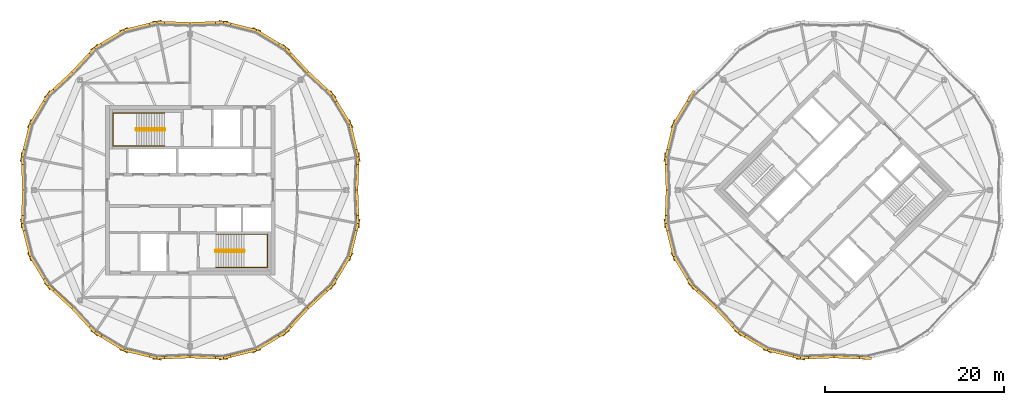
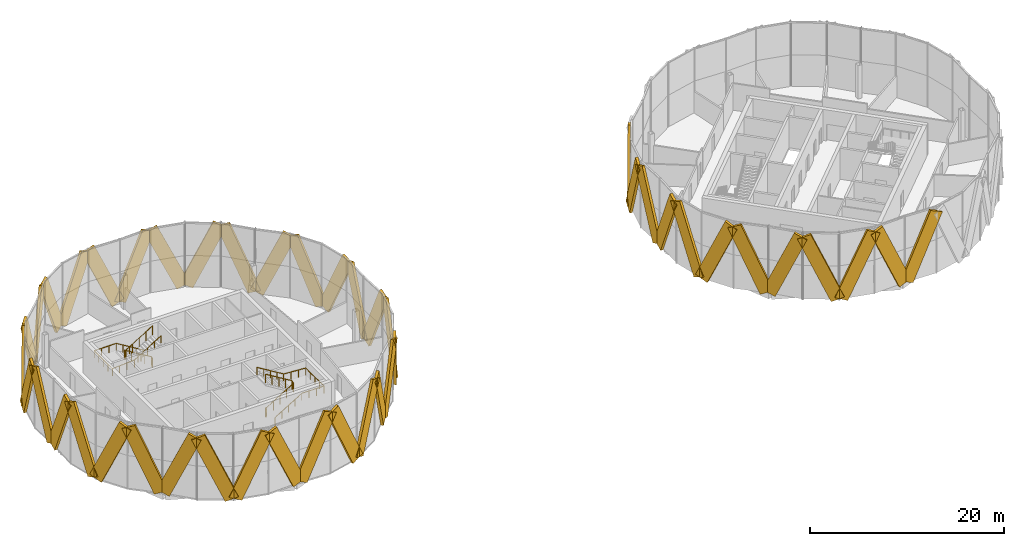
# One storey, part 21 of 22: 44 coverings, 4 railings.
"""IFC4 building model written with IfcOpenShell, lengths in metres."""

from ifc_helpers import new_model, si_unit, direction, frame, origin, origin_2d, place, context, subcontext, project, spatial, rectangle, circle, extrude, material, material_profile, profile_set, type_object, element, save


model = new_model("IFC4")

# Units and contexts
model_context = context("Model", 3, precision=1e-05, world=origin(), true_north=direction((0.0, 1.0)))
body_context = subcontext(model_context, "Body", "Model", "MODEL_VIEW")
ifc_project = project(units=[si_unit("LENGTHUNIT", "METRE"), si_unit("AREAUNIT", "SQUARE_METRE"), si_unit("VOLUMEUNIT", "CUBIC_METRE"), si_unit("PLANEANGLEUNIT", "RADIAN"), si_unit("MASSUNIT", "GRAM", prefix="KILO")], contexts=[model_context])

# Site, building, storey
site_placement = place(None, origin())
site = spatial("IfcSite", under=ifc_project, at=site_placement, CompositionType="ELEMENT")
building_placement = place(site_placement, origin())
building = spatial("IfcBuilding", under=site, at=building_placement, Name="Ogive Gate Towers", CompositionType="ELEMENT")
storey_placement = place(building_placement, frame((0.0, 0.0, 285.60009765625)))
storey = spatial("IfcBuildingStorey", under=building, at=storey_placement, Name="L67", CompositionType="ELEMENT", Elevation=285.60009765625)

# Coverings
ifc_material_1 = material(Name="Pale metal aluminium", Category="aluminium")
ifc_material_profile = material_profile(ifc_material_1, rectangle(XDim=0.300048828125, YDim=1.5, at=origin_2d()), Name="1500 x 300 pale metal aluminium")
ifc_profile_set = profile_set([ifc_material_profile], Name="Pale metal aluminium")
covering_type = type_object("IfcCoveringType", Name="Facade fin 1500 x 300", PredefinedType="CLADDING", material=ifc_profile_set)
covering_1_placement = place(storey_placement, frame((-17.364990234375, 0.1259765625, 0.053955078125), z_axis=(0.01532001797, 0.405081005449, 0.914152435906), x_axis=(-0.999285603672, 0.037792622215, 0.0)))
element("IfcCovering", 1, at=covering_1_placement, inside=storey, type_object=covering_type, Name="Facade fin", PredefinedType="CLADDING", context=body_context, shape_type="SweptSolid", body=[
    extrude(rectangle(XDim=0.300048828125, YDim=1.5, at=origin_2d()), origin(), (0.0, 0.0, 1.0), 8.414306640625),
])
for number, where, z_axis, x_axis, name in (
    (2, (-18.09619140625, 7.229736328125, 0.05810546875), (0.097974872513, -0.398939080243, 0.911728322808), (0.971142153722, 0.238501398874, 0.0), "Facade fin"),
    (3, (-18.22802734375, 7.547607421875, 0.05810546875), (-0.212810177385, 0.351371445889, 0.911729091022), (-0.855351245103, -0.518048499178, 0.0), "Facade fin"),
):
    element("IfcCovering", number, at=place(storey_placement, frame(where, z_axis=z_axis, x_axis=x_axis)), inside=storey, type_object=covering_type, Name=name, PredefinedType="CLADDING", context=body_context, shape_type="SweptSolid", body=[
        extrude(rectangle(XDim=0.300048828125, YDim=1.5, at=origin_2d()), origin(), (0.0, 0.0, 1.0), 8.427490234375),
    ])
for number, where, z_axis, x_axis, name in (
    (4, (-22.73388671875, 13.087890625, 0.053955078125), (0.297260235474, -0.275614931846, 0.914151388857), (0.679904576135, 0.733300598221, 0.0), "Facade fin"),
    (5, (-22.912109375, 13.26611328125, 0.053955078125), (-0.275614931846, 0.297260235474, 0.914151388857), (-0.733300598221, -0.679904576135, 0.0), "Facade fin"),
):
    element("IfcCovering", number, at=place(storey_placement, frame(where, z_axis=z_axis, x_axis=x_axis)), inside=storey, type_object=covering_type, Name=name, PredefinedType="CLADDING", context=body_context, shape_type="SweptSolid", body=[
        extrude(rectangle(XDim=0.300048828125, YDim=1.5, at=origin_2d()), origin(), (0.0, 0.0, 1.0), 8.414306640625),
    ])
for number, where, z_axis, x_axis, name in (
    (6, (-28.452392578125, 17.77197265625, 0.05810546875), (0.351371445889, -0.212810177385, 0.911729091022), (0.518048499178, 0.855351245103, 0.0), "Facade fin"),
    (7, (-28.770263671875, 17.90380859375, 0.05810546875), (-0.398939080243, 0.097974872513, 0.911728322808), (-0.238501398874, -0.971142153722, 0.0), "Facade fin"),
):
    element("IfcCovering", number, at=place(storey_placement, frame(where, z_axis=z_axis, x_axis=x_axis)), inside=storey, type_object=covering_type, Name=name, PredefinedType="CLADDING", context=body_context, shape_type="SweptSolid", body=[
        extrude(rectangle(XDim=0.300048828125, YDim=1.5, at=origin_2d()), origin(), (0.0, 0.0, 1.0), 8.427490234375),
    ])
for number, where, z_axis, x_axis, name in (
    (8, (-35.8740234375, 18.635009765625, 0.053955078125), (0.405081005449, 0.01532001797, 0.914152435906), (-0.037792622215, 0.999285603672, 0.0), "Facade fin"),
    (9, (-36.1259765625, 18.635009765625, 0.053955078125), (-0.405081005449, 0.01532001797, 0.914152435906), (-0.037792622215, -0.999285603672, 0.0), "Facade fin"),
):
    element("IfcCovering", number, at=place(storey_placement, frame(where, z_axis=z_axis, x_axis=x_axis)), inside=storey, type_object=covering_type, Name=name, PredefinedType="CLADDING", context=body_context, shape_type="SweptSolid", body=[
        extrude(rectangle(XDim=0.300048828125, YDim=1.5, at=origin_2d()), origin(), (0.0, 0.0, 1.0), 8.414306640625),
    ])
for number, where, z_axis, x_axis, name in (
    (10, (-43.229736328125, 17.90380859375, 0.05810546875), (0.398939080243, 0.097974872513, 0.911728322808), (-0.238501398874, 0.971142153722, 0.0), "Facade fin"),
    (11, (-43.547607421875, 17.77197265625, 0.05810546875), (-0.351371445889, -0.212810177385, 0.911729091022), (0.518048499178, -0.855351245103, 0.0), "Facade fin"),
):
    element("IfcCovering", number, at=place(storey_placement, frame(where, z_axis=z_axis, x_axis=x_axis)), inside=storey, type_object=covering_type, Name=name, PredefinedType="CLADDING", context=body_context, shape_type="SweptSolid", body=[
        extrude(rectangle(XDim=0.300048828125, YDim=1.5, at=origin_2d()), origin(), (0.0, 0.0, 1.0), 8.427490234375),
    ])
for number, where, z_axis, x_axis, name in (
    (12, (-49.087890625, 13.26611328125, 0.053955078125), (0.275614931846, 0.297260235474, 0.914151388857), (-0.733300598221, 0.679904576135, 0.0), "Facade fin"),
    (13, (-49.26611328125, 13.087890625, 0.053955078125), (-0.297260235474, -0.275614931846, 0.914151388857), (0.679904576135, -0.733300598221, 0.0), "Facade fin"),
):
    element("IfcCovering", number, at=place(storey_placement, frame(where, z_axis=z_axis, x_axis=x_axis)), inside=storey, type_object=covering_type, Name=name, PredefinedType="CLADDING", context=body_context, shape_type="SweptSolid", body=[
        extrude(rectangle(XDim=0.300048828125, YDim=1.5, at=origin_2d()), origin(), (0.0, 0.0, 1.0), 8.414306640625),
    ])
for number, where, z_axis, x_axis, name in (
    (14, (-53.77197265625, 7.547607421875, 0.05810546875), (0.212810177385, 0.351371445889, 0.911729091022), (-0.855351245103, 0.518048499178, 0.0), "Facade fin"),
    (15, (-53.90380859375, 7.229736328125, 0.05810546875), (-0.097974872513, -0.398939080243, 0.911728322808), (0.971142153722, -0.238501398874, 0.0), "Facade fin"),
):
    element("IfcCovering", number, at=place(storey_placement, frame(where, z_axis=z_axis, x_axis=x_axis)), inside=storey, type_object=covering_type, Name=name, PredefinedType="CLADDING", context=body_context, shape_type="SweptSolid", body=[
        extrude(rectangle(XDim=0.300048828125, YDim=1.5, at=origin_2d()), origin(), (0.0, 0.0, 1.0), 8.427490234375),
    ])
for number, where, z_axis, x_axis, name in (
    (16, (-54.635009765625, 0.1259765625, 0.053955078125), (-0.01532001797, 0.405081005449, 0.914152435906), (-0.999285603672, -0.037792622215, 0.0), "Facade fin"),
    (17, (-54.635009765625, -0.1259765625, 0.053955078125), (-0.01532001797, -0.405081005449, 0.914152435906), (0.999285603672, -0.037792622215, 0.0), "Facade fin"),
):
    element("IfcCovering", number, at=place(storey_placement, frame(where, z_axis=z_axis, x_axis=x_axis)), inside=storey, type_object=covering_type, Name=name, PredefinedType="CLADDING", context=body_context, shape_type="SweptSolid", body=[
        extrude(rectangle(XDim=0.300048828125, YDim=1.5, at=origin_2d()), origin(), (0.0, 0.0, 1.0), 8.414306640625),
    ])
for number, where, z_axis, x_axis, name in (
    (18, (-53.90380859375, -7.229736328125, 0.05810546875), (-0.097974872513, 0.398939080243, 0.911728322808), (-0.971142153722, -0.238501398874, 0.0), "Facade fin"),
    (19, (-53.77197265625, -7.547607421875, 0.05810546875), (0.212810177385, -0.351371445889, 0.911729091022), (0.855351245103, 0.518048499178, 0.0), "Facade fin"),
):
    element("IfcCovering", number, at=place(storey_placement, frame(where, z_axis=z_axis, x_axis=x_axis)), inside=storey, type_object=covering_type, Name=name, PredefinedType="CLADDING", context=body_context, shape_type="SweptSolid", body=[
        extrude(rectangle(XDim=0.300048828125, YDim=1.5, at=origin_2d()), origin(), (0.0, 0.0, 1.0), 8.427490234375),
    ])
for number, where, z_axis, x_axis, name in (
    (20, (-49.26611328125, -13.087890625, 0.053955078125), (-0.297260235474, 0.275614931846, 0.914151388857), (-0.679904576135, -0.733300598221, 0.0), "Facade fin"),
    (21, (-49.087890625, -13.26611328125, 0.053955078125), (0.275614931846, -0.297260235474, 0.914151388857), (0.733300598221, 0.679904576135, 0.0), "Facade fin"),
):
    element("IfcCovering", number, at=place(storey_placement, frame(where, z_axis=z_axis, x_axis=x_axis)), inside=storey, type_object=covering_type, Name=name, PredefinedType="CLADDING", context=body_context, shape_type="SweptSolid", body=[
        extrude(rectangle(XDim=0.300048828125, YDim=1.5, at=origin_2d()), origin(), (0.0, 0.0, 1.0), 8.414306640625),
    ])
for number, where, z_axis, x_axis, name in (
    (22, (-43.547607421875, -17.77197265625, 0.05810546875), (-0.351371445889, 0.212810177385, 0.911729091022), (-0.518048499178, -0.855351245103, 0.0), "Facade fin"),
    (23, (-43.229736328125, -17.90380859375, 0.05810546875), (0.398939080243, -0.097974872513, 0.911728322808), (0.238501398874, 0.971142153722, 0.0), "Facade fin"),
):
    element("IfcCovering", number, at=place(storey_placement, frame(where, z_axis=z_axis, x_axis=x_axis)), inside=storey, type_object=covering_type, Name=name, PredefinedType="CLADDING", context=body_context, shape_type="SweptSolid", body=[
        extrude(rectangle(XDim=0.300048828125, YDim=1.5, at=origin_2d()), origin(), (0.0, 0.0, 1.0), 8.427490234375),
    ])
for number, where, z_axis, x_axis, name in (
    (24, (-36.1259765625, -18.635009765625, 0.053955078125), (-0.405081005449, -0.01532001797, 0.914152435906), (0.037792622215, -0.999285603672, 0.0), "Facade fin"),
    (25, (-35.8740234375, -18.635009765625, 0.053955078125), (0.405081005449, -0.01532001797, 0.914152435906), (0.037792622215, 0.999285603672, 0.0), "Facade fin"),
):
    element("IfcCovering", number, at=place(storey_placement, frame(where, z_axis=z_axis, x_axis=x_axis)), inside=storey, type_object=covering_type, Name=name, PredefinedType="CLADDING", context=body_context, shape_type="SweptSolid", body=[
        extrude(rectangle(XDim=0.300048828125, YDim=1.5, at=origin_2d()), origin(), (0.0, 0.0, 1.0), 8.414306640625),
    ])
for number, where, z_axis, x_axis, name in (
    (26, (-28.770263671875, -17.90380859375, 0.05810546875), (-0.398939080243, -0.097974872513, 0.911728322808), (0.238501398874, -0.971142153722, 0.0), "Facade fin"),
    (27, (-28.452392578125, -17.77197265625, 0.05810546875), (0.351371445889, 0.212810177385, 0.911729091022), (-0.518048499178, 0.855351245103, 0.0), "Facade fin"),
):
    element("IfcCovering", number, at=place(storey_placement, frame(where, z_axis=z_axis, x_axis=x_axis)), inside=storey, type_object=covering_type, Name=name, PredefinedType="CLADDING", context=body_context, shape_type="SweptSolid", body=[
        extrude(rectangle(XDim=0.300048828125, YDim=1.5, at=origin_2d()), origin(), (0.0, 0.0, 1.0), 8.427490234375),
    ])
for number, where, z_axis, x_axis, name in (
    (28, (-22.912109375, -13.26611328125, 0.053955078125), (-0.275614931846, -0.297260235474, 0.914151388857), (0.733300598221, -0.679904576135, 0.0), "Facade fin"),
    (29, (-22.73388671875, -13.087890625, 0.053955078125), (0.297260235474, 0.275614931846, 0.914151388857), (-0.679904576135, 0.733300598221, 0.0), "Facade fin"),
):
    element("IfcCovering", number, at=place(storey_placement, frame(where, z_axis=z_axis, x_axis=x_axis)), inside=storey, type_object=covering_type, Name=name, PredefinedType="CLADDING", context=body_context, shape_type="SweptSolid", body=[
        extrude(rectangle(XDim=0.300048828125, YDim=1.5, at=origin_2d()), origin(), (0.0, 0.0, 1.0), 8.414306640625),
    ])
for number, where, z_axis, x_axis, name in (
    (30, (-18.22802734375, -7.547607421875, 0.05810546875), (-0.212810177385, -0.351371445889, 0.911729091022), (0.855351245103, -0.518048499178, 0.0), "Facade fin"),
    (31, (-18.09619140625, -7.229736328125, 0.05810546875), (0.097974872513, 0.398939080243, 0.911728322808), (-0.971142153722, 0.238501398874, 0.0), "Facade fin"),
):
    element("IfcCovering", number, at=place(storey_placement, frame(where, z_axis=z_axis, x_axis=x_axis)), inside=storey, type_object=covering_type, Name=name, PredefinedType="CLADDING", context=body_context, shape_type="SweptSolid", body=[
        extrude(rectangle(XDim=0.300048828125, YDim=1.5, at=origin_2d()), origin(), (0.0, 0.0, 1.0), 8.427490234375),
    ])
covering_2_placement = place(storey_placement, frame((-17.364990234375, -0.1259765625, 0.053955078125), z_axis=(0.01532001797, -0.405081005449, 0.914152435906), x_axis=(0.999285603672, 0.037792622215, 0.0)))
element("IfcCovering", 32, at=covering_2_placement, inside=storey, type_object=covering_type, Name="Facade fin", PredefinedType="CLADDING", context=body_context, shape_type="SweptSolid", body=[
    extrude(rectangle(XDim=0.300048828125, YDim=1.5, at=origin_2d()), origin(), (0.0, 0.0, 1.0), 8.414306640625),
])
for number, where, z_axis, x_axis, name in (
    (33, (18.226318359375, 7.544921875, -0.045166015625), (0.21069427992, 0.34789321855, 0.913552532094), (-0.855361364748, 0.518031790238, 0.0), "Facade fin"),
    (34, (18.096923828125, 7.232666015625, -0.045166015625), (-0.097000995392, -0.394989885604, 0.913550106542), (0.971144431626, -0.238492123394, 0.0), "Facade fin"),
):
    element("IfcCovering", number, at=place(storey_placement, frame(where, z_axis=z_axis, x_axis=x_axis)), inside=storey, type_object=covering_type, Name=name, PredefinedType="CLADDING", context=body_context, shape_type="SweptSolid", body=[
        extrude(rectangle(XDim=0.300048828125, YDim=1.5, at=origin_2d()), origin(), (0.0, 0.0, 1.0), 8.527099609375),
    ])
for number, where, z_axis, x_axis, name in (
    (35, (17.364990234375, 0.123046875, -0.049072265625), (-0.015169569339, 0.401032943671, 0.915938023153), (-0.999285354501, -0.037799210049, 0.0), "Facade fin"),
    (36, (17.364990234375, -0.123046875, -0.049072265625), (-0.015169569339, -0.401032943671, 0.915938023153), (0.999285354501, -0.037799210049, 0.0), "Facade fin"),
):
    element("IfcCovering", number, at=place(storey_placement, frame(where, z_axis=z_axis, x_axis=x_axis)), inside=storey, type_object=covering_type, Name=name, PredefinedType="CLADDING", context=body_context, shape_type="SweptSolid", body=[
        extrude(rectangle(XDim=0.300048828125, YDim=1.5, at=origin_2d()), origin(), (0.0, 0.0, 1.0), 8.513671875),
    ])
for number, where, z_axis, x_axis, name in (
    (37, (18.096923828125, -7.232666015625, -0.045166015625), (-0.097000995392, 0.394989885604, 0.913550106542), (-0.971144431626, -0.238492123394, 0.0), "Facade fin"),
    (38, (18.226318359375, -7.544921875, -0.045166015625), (0.21069427992, -0.34789321855, 0.913552532094), (0.855361364748, 0.518031790238, 0.0), "Facade fin"),
):
    element("IfcCovering", number, at=place(storey_placement, frame(where, z_axis=z_axis, x_axis=x_axis)), inside=storey, type_object=covering_type, Name=name, PredefinedType="CLADDING", context=body_context, shape_type="SweptSolid", body=[
        extrude(rectangle(XDim=0.300048828125, YDim=1.5, at=origin_2d()), origin(), (0.0, 0.0, 1.0), 8.527099609375),
    ])
for number, where, z_axis, x_axis, name in (
    (39, (22.736083984375, -13.08984375, -0.049072265625), (-0.294300591844, 0.272851031024, 0.915936393266), (-0.679878090563, -0.73332515433, 0.0), "Facade fin"),
    (40, (22.91015625, -13.263916015625, -0.049072265625), (0.272851031024, -0.294300591844, 0.915936393266), (0.73332515433, 0.679878090563, 0.0), "Facade fin"),
):
    element("IfcCovering", number, at=place(storey_placement, frame(where, z_axis=z_axis, x_axis=x_axis)), inside=storey, type_object=covering_type, Name=name, PredefinedType="CLADDING", context=body_context, shape_type="SweptSolid", body=[
        extrude(rectangle(XDim=0.300048828125, YDim=1.5, at=origin_2d()), origin(), (0.0, 0.0, 1.0), 8.513916015625),
    ])
for number, where, z_axis, x_axis, name in (
    (41, (28.455078125, -17.773681640625, -0.045166015625), (-0.34789321855, 0.21069427992, 0.913552532094), (-0.518031790238, -0.855361364748, 0.0), "Facade fin"),
    (42, (28.767333984375, -17.903076171875, -0.045166015625), (0.394989885604, -0.097000995392, 0.913550106542), (0.238492123394, 0.971144431626, 0.0), "Facade fin"),
):
    element("IfcCovering", number, at=place(storey_placement, frame(where, z_axis=z_axis, x_axis=x_axis)), inside=storey, type_object=covering_type, Name=name, PredefinedType="CLADDING", context=body_context, shape_type="SweptSolid", body=[
        extrude(rectangle(XDim=0.300048828125, YDim=1.5, at=origin_2d()), origin(), (0.0, 0.0, 1.0), 8.527099609375),
    ])
for number, where, z_axis, x_axis, name in (
    (43, (35.876953125, -18.635009765625, -0.049072265625), (-0.401032943671, -0.015169569339, 0.915938023153), (0.037799210049, -0.999285354501, 0.0), "Facade fin"),
    (44, (36.123046875, -18.635009765625, -0.049072265625), (0.401032943671, -0.015169569339, 0.915938023153), (0.037799210049, 0.999285354501, 0.0), "Facade fin"),
):
    element("IfcCovering", number, at=place(storey_placement, frame(where, z_axis=z_axis, x_axis=x_axis)), inside=storey, type_object=covering_type, Name=name, PredefinedType="CLADDING", context=body_context, shape_type="SweptSolid", body=[
        extrude(rectangle(XDim=0.300048828125, YDim=1.5, at=origin_2d()), origin(), (0.0, 0.0, 1.0), 8.513671875),
    ])

# Railings
ifc_material_2 = material(Name="Stainless steel", Category="steel")
railing_type_1 = type_object("IfcRailingType", Name="Stair guard 1100", PredefinedType="GUARDRAIL", material=ifc_material_2)
railing_1_placement = place(storey_placement, frame((-38.81494140625, 6.860107421875, 0.0)))
element("IfcRailing", 45, at=railing_1_placement, inside=storey, type_object=railing_type_1, Name="L67 ST1 stair guard 1", PredefinedType="GUARDRAIL", context=body_context, shape_type="SweptSolid", body=[
    extrude(circle(Radius=0.02392578125, at=origin_2d()), frame((0.0, 0.0, 1.076171875), z_axis=(0.0, -1.0, 0.0), x_axis=(1.0, 0.0, 0.0)), (0.0, 0.0, 1.0), 0.14501953125),
    extrude(circle(Radius=0.02392578125, at=origin_2d()), frame((0.0, -0.14501953125, 1.076171875), z_axis=(-0.187806046922, 0.731069392407, 0.655946973638), x_axis=(-0.968551454522, -0.24881334358, 0.0)), (0.0, 0.0, 1.0), 0.2666015625),
    extrude(circle(Radius=0.02392578125, at=origin_2d()), frame((-0.050048828125, 0.0498046875, 1.2509765625), z_axis=(-0.854199828955, 0.0, 0.519944854973), x_axis=(0.0, -1.0, 0.0)), (0.0, 0.0, 1.0), 3.702392578125),
    extrude(circle(Radius=0.02392578125, at=origin_2d()), frame((-3.212646484375, 0.0498046875, 3.17578125), z_axis=(-0.707106781187, -0.707106781187, 0.0), x_axis=(0.707106781187, -0.707106781187, 0.0)), (0.0, 0.0, 1.0), 0.0703125),
    extrude(circle(Radius=0.02392578125, at=origin_2d()), frame((-3.262451171875, 0.0, 3.17578125), z_axis=(0.0, -1.0, 0.0), x_axis=(1.0, 0.0, 0.0)), (0.0, 0.0, 1.0), 0.14501953125),
    extrude(circle(Radius=0.02392578125, at=origin_2d()), frame((-3.262451171875, -0.14501953125, 3.17578125), z_axis=(0.263862480399, -0.265155923931, 0.927399011991), x_axis=(0.708833529934, 0.705375805398, 0.0)), (0.0, 0.0, 1.0), 0.188720703125),
    extrude(circle(Radius=0.02392578125, at=origin_2d()), frame((-3.212646484375, -0.195068359375, 3.35107421875), z_axis=(0.854199828955, 0.0, 0.519944854973), x_axis=(0.0, 1.0, 0.0)), (0.0, 0.0, 1.0), 3.702392578125),
    extrude(circle(Radius=0.02099609375, at=origin_2d()), origin(), (0.0, 0.0, 1.0), 1.052001953125),
    extrude(circle(Radius=0.02099609375, at=origin_2d()), frame((0.0, -0.14501953125, 0.0)), (0.0, 0.0, 1.0), 1.052001953125),
    extrude(circle(Radius=0.02099609375, at=origin_2d()), frame((-0.050048828125, 0.0498046875, 0.1748046875)), (0.0, 0.0, 1.0), 1.052001953125),
    extrude(circle(Radius=0.02099609375, at=origin_2d()), frame((-0.8408203125, 0.0498046875, 0.656005859375)), (0.0, 0.0, 1.0), 1.052001953125),
    extrude(circle(Radius=0.02099609375, at=origin_2d()), frame((-1.63134765625, 0.0498046875, 1.13720703125)), (0.0, 0.0, 1.0), 1.052001953125),
    extrude(circle(Radius=0.02099609375, at=origin_2d()), frame((-2.421875, 0.0498046875, 1.61865234375)), (0.0, 0.0, 1.0), 1.052001953125),
    extrude(circle(Radius=0.02099609375, at=origin_2d()), frame((-3.212646484375, 0.0498046875, 2.099853515625)), (0.0, 0.0, 1.0), 1.052001953125),
    extrude(circle(Radius=0.02099609375, at=origin_2d()), frame((-3.262451171875, 0.0, 2.099853515625)), (0.0, 0.0, 1.0), 1.052001953125),
    extrude(circle(Radius=0.02099609375, at=origin_2d()), frame((-3.262451171875, -0.14501953125, 2.099853515625)), (0.0, 0.0, 1.0), 1.052001953125),
    extrude(circle(Radius=0.02099609375, at=origin_2d()), frame((-3.212646484375, -0.195068359375, 2.27490234375)), (0.0, 0.0, 1.0), 1.052001953125),
    extrude(circle(Radius=0.02099609375, at=origin_2d()), frame((-2.421875, -0.195068359375, 2.756103515625)), (0.0, 0.0, 1.0), 1.052001953125),
    extrude(circle(Radius=0.02099609375, at=origin_2d()), frame((-1.63134765625, -0.195068359375, 3.2373046875)), (0.0, 0.0, 1.0), 1.052001953125),
    extrude(circle(Radius=0.02099609375, at=origin_2d()), frame((-0.8408203125, -0.195068359375, 3.71875)), (0.0, 0.0, 1.0), 1.052001953125),
    extrude(circle(Radius=0.02099609375, at=origin_2d()), frame((-0.050048828125, -0.195068359375, 4.199951171875)), (0.0, 0.0, 1.0), 1.052001953125),
])
railing_2_placement = place(storey_placement, frame((-33.18505859375, -6.860107421875, 0.0)))
element("IfcRailing", 46, at=railing_2_placement, inside=storey, type_object=railing_type_1, Name="L67 ST2 stair guard 1", PredefinedType="GUARDRAIL", context=body_context, shape_type="SweptSolid", body=[
    extrude(circle(Radius=0.02392578125, at=origin_2d()), frame((0.0, 0.0, 1.076171875), z_axis=(0.0, 1.0, 0.0), x_axis=(-1.0, 0.0, 0.0)), (0.0, 0.0, 1.0), 0.14501953125),
    extrude(circle(Radius=0.02392578125, at=origin_2d()), frame((0.0, 0.14501953125, 1.076171875), z_axis=(0.187806046922, -0.731069392407, 0.655946973638), x_axis=(0.968551454522, 0.24881334358, 0.0)), (0.0, 0.0, 1.0), 0.2666015625),
    extrude(circle(Radius=0.02392578125, at=origin_2d()), frame((0.050048828125, -0.0498046875, 1.2509765625), z_axis=(0.854199828955, 0.0, 0.519944854973), x_axis=(0.0, 1.0, 0.0)), (0.0, 0.0, 1.0), 3.702392578125),
    extrude(circle(Radius=0.02392578125, at=origin_2d()), frame((3.212646484375, -0.0498046875, 3.17578125), z_axis=(0.707106781187, 0.707106781187, 0.0), x_axis=(-0.707106781187, 0.707106781187, 0.0)), (0.0, 0.0, 1.0), 0.0703125),
    extrude(circle(Radius=0.02392578125, at=origin_2d()), frame((3.262451171875, 0.0, 3.17578125), z_axis=(0.0, 1.0, 0.0), x_axis=(-1.0, 0.0, 0.0)), (0.0, 0.0, 1.0), 0.14501953125),
    extrude(circle(Radius=0.02392578125, at=origin_2d()), frame((3.262451171875, 0.14501953125, 3.17578125), z_axis=(-0.263862480399, 0.265155923931, 0.927399011991), x_axis=(-0.708833529934, -0.705375805398, 0.0)), (0.0, 0.0, 1.0), 0.188720703125),
    extrude(circle(Radius=0.02392578125, at=origin_2d()), frame((3.212646484375, 0.195068359375, 3.35107421875), z_axis=(-0.854199828955, 0.0, 0.519944854973), x_axis=(0.0, -1.0, 0.0)), (0.0, 0.0, 1.0), 3.702392578125),
    extrude(circle(Radius=0.02099609375, at=origin_2d()), origin(), (0.0, 0.0, 1.0), 1.052001953125),
    extrude(circle(Radius=0.02099609375, at=origin_2d()), frame((0.0, 0.14501953125, 0.0)), (0.0, 0.0, 1.0), 1.052001953125),
    extrude(circle(Radius=0.02099609375, at=origin_2d()), frame((0.050048828125, -0.0498046875, 0.1748046875)), (0.0, 0.0, 1.0), 1.052001953125),
    extrude(circle(Radius=0.02099609375, at=origin_2d()), frame((0.8408203125, -0.0498046875, 0.656005859375)), (0.0, 0.0, 1.0), 1.052001953125),
    extrude(circle(Radius=0.02099609375, at=origin_2d()), frame((1.63134765625, -0.0498046875, 1.13720703125)), (0.0, 0.0, 1.0), 1.052001953125),
    extrude(circle(Radius=0.02099609375, at=origin_2d()), frame((2.421875, -0.0498046875, 1.61865234375)), (0.0, 0.0, 1.0), 1.052001953125),
    extrude(circle(Radius=0.02099609375, at=origin_2d()), frame((3.212646484375, -0.0498046875, 2.099853515625)), (0.0, 0.0, 1.0), 1.052001953125),
    extrude(circle(Radius=0.02099609375, at=origin_2d()), frame((3.262451171875, 0.0, 2.099853515625)), (0.0, 0.0, 1.0), 1.052001953125),
    extrude(circle(Radius=0.02099609375, at=origin_2d()), frame((3.262451171875, 0.14501953125, 2.099853515625)), (0.0, 0.0, 1.0), 1.052001953125),
    extrude(circle(Radius=0.02099609375, at=origin_2d()), frame((3.212646484375, 0.195068359375, 2.27490234375)), (0.0, 0.0, 1.0), 1.052001953125),
    extrude(circle(Radius=0.02099609375, at=origin_2d()), frame((2.421875, 0.195068359375, 2.756103515625)), (0.0, 0.0, 1.0), 1.052001953125),
    extrude(circle(Radius=0.02099609375, at=origin_2d()), frame((1.63134765625, 0.195068359375, 3.2373046875)), (0.0, 0.0, 1.0), 1.052001953125),
    extrude(circle(Radius=0.02099609375, at=origin_2d()), frame((0.8408203125, 0.195068359375, 3.71875)), (0.0, 0.0, 1.0), 1.052001953125),
    extrude(circle(Radius=0.02099609375, at=origin_2d()), frame((0.050048828125, 0.195068359375, 4.199951171875)), (0.0, 0.0, 1.0), 1.052001953125),
])
railing_type_2 = type_object("IfcRailingType", Name="Stair handrail 900", PredefinedType="HANDRAIL", material=ifc_material_2)
railing_3_placement = place(storey_placement, frame((-38.864990234375, 8.64990234375, 0.1748046875)))
element("IfcRailing", 47, at=railing_3_placement, inside=storey, type_object=railing_type_2, Name="L67 ST1 stair handrail 1", PredefinedType="HANDRAIL", context=body_context, shape_type="SweptSolid", body=[
    extrude(circle(Radius=0.02392578125, at=origin_2d()), frame((0.0, 0.0, 0.8759765625), z_axis=(-0.854199828955, 0.0, 0.519944854973), x_axis=(0.0, -1.0, 0.0)), (0.0, 0.0, 1.0), 3.702392578125),
    extrude(circle(Radius=0.02392578125, at=origin_2d()), frame((-3.16259765625, 0.0, 2.80078125), z_axis=(-1.0, 0.0, 0.0), x_axis=(0.0, -1.0, 0.0)), (0.0, 0.0, 1.0), 2.622314453125),
    extrude(circle(Radius=0.02392578125, at=origin_2d()), frame((-5.784912109375, 0.0, 2.80078125), z_axis=(0.0, -1.0, 0.0), x_axis=(1.0, 0.0, 0.0)), (0.0, 0.0, 1.0), 3.724853515625),
    extrude(circle(Radius=0.02392578125, at=origin_2d()), frame((-5.784912109375, -3.724853515625, 2.80078125), z_axis=(0.997779399599, 0.0, 0.066605328136), x_axis=(0.0, 1.0, 0.0)), (0.0, 0.0, 1.0), 2.628173828125),
    extrude(circle(Radius=0.02392578125, at=origin_2d()), frame((-3.16259765625, -3.724853515625, 2.97607421875), z_axis=(0.854199828955, 0.0, 0.519944854973), x_axis=(0.0, 1.0, 0.0)), (0.0, 0.0, 1.0), 3.702392578125),
    extrude(circle(Radius=0.02099609375, at=origin_2d()), origin(), (0.0, 0.0, 1.0), 0.851806640625),
    extrude(circle(Radius=0.02099609375, at=origin_2d()), frame((-0.79052734375, 0.0, 0.481201171875)), (0.0, 0.0, 1.0), 0.851806640625),
    extrude(circle(Radius=0.02099609375, at=origin_2d()), frame((-1.581298828125, 0.0, 0.96240234375)), (0.0, 0.0, 1.0), 0.851806640625),
    extrude(circle(Radius=0.02099609375, at=origin_2d()), frame((-2.3720703125, 0.0, 1.44384765625)), (0.0, 0.0, 1.0), 0.851806640625),
    extrude(circle(Radius=0.02099609375, at=origin_2d()), frame((-3.16259765625, 0.0, 1.925048828125)), (0.0, 0.0, 1.0), 0.851806640625),
    extrude(circle(Radius=0.02099609375, at=origin_2d()), frame((-4.03662109375, 0.0, 1.925048828125)), (0.0, 0.0, 1.0), 0.851806640625),
    extrude(circle(Radius=0.02099609375, at=origin_2d()), frame((-4.910888671875, 0.0, 1.925048828125)), (0.0, 0.0, 1.0), 0.851806640625),
    extrude(circle(Radius=0.02099609375, at=origin_2d()), frame((-5.784912109375, 0.0, 1.925048828125)), (0.0, 0.0, 1.0), 0.851806640625),
    extrude(circle(Radius=0.02099609375, at=origin_2d()), frame((-5.784912109375, -0.93115234375, 1.925048828125)), (0.0, 0.0, 1.0), 0.851806640625),
    extrude(circle(Radius=0.02099609375, at=origin_2d()), frame((-5.784912109375, -1.8623046875, 1.925048828125)), (0.0, 0.0, 1.0), 0.851806640625),
    extrude(circle(Radius=0.02099609375, at=origin_2d()), frame((-5.784912109375, -2.793701171875, 1.925048828125)), (0.0, 0.0, 1.0), 0.851806640625),
    extrude(circle(Radius=0.02099609375, at=origin_2d()), frame((-5.784912109375, -3.724853515625, 1.925048828125)), (0.0, 0.0, 1.0), 0.851806640625),
    extrude(circle(Radius=0.02099609375, at=origin_2d()), frame((-4.910888671875, -3.724853515625, 1.9833984375)), (0.0, 0.0, 1.0), 0.851806640625),
    extrude(circle(Radius=0.02099609375, at=origin_2d()), frame((-4.03662109375, -3.724853515625, 2.041748046875)), (0.0, 0.0, 1.0), 0.851806640625),
    extrude(circle(Radius=0.02099609375, at=origin_2d()), frame((-3.16259765625, -3.724853515625, 2.10009765625)), (0.0, 0.0, 1.0), 0.851806640625),
    extrude(circle(Radius=0.02099609375, at=origin_2d()), frame((-2.3720703125, -3.724853515625, 2.581298828125)), (0.0, 0.0, 1.0), 0.851806640625),
    extrude(circle(Radius=0.02099609375, at=origin_2d()), frame((-1.581298828125, -3.724853515625, 3.0625)), (0.0, 0.0, 1.0), 0.851806640625),
    extrude(circle(Radius=0.02099609375, at=origin_2d()), frame((-0.79052734375, -3.724853515625, 3.5439453125)), (0.0, 0.0, 1.0), 0.851806640625),
    extrude(circle(Radius=0.02099609375, at=origin_2d()), frame((0.0, -3.724853515625, 4.025146484375)), (0.0, 0.0, 1.0), 0.851806640625),
])
railing_4_placement = place(storey_placement, frame((-33.135009765625, -8.64990234375, 0.1748046875)))
element("IfcRailing", 48, at=railing_4_placement, inside=storey, type_object=railing_type_2, Name="L67 ST2 stair handrail 1", PredefinedType="HANDRAIL", context=body_context, shape_type="SweptSolid", body=[
    extrude(circle(Radius=0.02392578125, at=origin_2d()), frame((0.0, 0.0, 0.8759765625), z_axis=(0.854199828955, 0.0, 0.519944854973), x_axis=(0.0, 1.0, 0.0)), (0.0, 0.0, 1.0), 3.702392578125),
    extrude(circle(Radius=0.02392578125, at=origin_2d()), frame((3.16259765625, 0.0, 2.80078125), z_axis=(1.0, 0.0, 0.0), x_axis=(0.0, 1.0, 0.0)), (0.0, 0.0, 1.0), 2.622314453125),
    extrude(circle(Radius=0.02392578125, at=origin_2d()), frame((5.784912109375, 0.0, 2.80078125), z_axis=(0.0, 1.0, 0.0), x_axis=(-1.0, 0.0, 0.0)), (0.0, 0.0, 1.0), 3.724853515625),
    extrude(circle(Radius=0.02392578125, at=origin_2d()), frame((5.784912109375, 3.724853515625, 2.80078125), z_axis=(-0.997779399599, 0.0, 0.066605328136), x_axis=(0.0, -1.0, 0.0)), (0.0, 0.0, 1.0), 2.628173828125),
    extrude(circle(Radius=0.02392578125, at=origin_2d()), frame((3.16259765625, 3.724853515625, 2.97607421875), z_axis=(-0.854199828955, 0.0, 0.519944854973), x_axis=(0.0, -1.0, 0.0)), (0.0, 0.0, 1.0), 3.702392578125),
    extrude(circle(Radius=0.02099609375, at=origin_2d()), origin(), (0.0, 0.0, 1.0), 0.851806640625),
    extrude(circle(Radius=0.02099609375, at=origin_2d()), frame((0.79052734375, 0.0, 0.481201171875)), (0.0, 0.0, 1.0), 0.851806640625),
    extrude(circle(Radius=0.02099609375, at=origin_2d()), frame((1.581298828125, 0.0, 0.96240234375)), (0.0, 0.0, 1.0), 0.851806640625),
    extrude(circle(Radius=0.02099609375, at=origin_2d()), frame((2.3720703125, 0.0, 1.44384765625)), (0.0, 0.0, 1.0), 0.851806640625),
    extrude(circle(Radius=0.02099609375, at=origin_2d()), frame((3.16259765625, 0.0, 1.925048828125)), (0.0, 0.0, 1.0), 0.851806640625),
    extrude(circle(Radius=0.02099609375, at=origin_2d()), frame((4.03662109375, 0.0, 1.925048828125)), (0.0, 0.0, 1.0), 0.851806640625),
    extrude(circle(Radius=0.02099609375, at=origin_2d()), frame((4.910888671875, 0.0, 1.925048828125)), (0.0, 0.0, 1.0), 0.851806640625),
    extrude(circle(Radius=0.02099609375, at=origin_2d()), frame((5.784912109375, 0.0, 1.925048828125)), (0.0, 0.0, 1.0), 0.851806640625),
    extrude(circle(Radius=0.02099609375, at=origin_2d()), frame((5.784912109375, 0.93115234375, 1.925048828125)), (0.0, 0.0, 1.0), 0.851806640625),
    extrude(circle(Radius=0.02099609375, at=origin_2d()), frame((5.784912109375, 1.8623046875, 1.925048828125)), (0.0, 0.0, 1.0), 0.851806640625),
    extrude(circle(Radius=0.02099609375, at=origin_2d()), frame((5.784912109375, 2.793701171875, 1.925048828125)), (0.0, 0.0, 1.0), 0.851806640625),
    extrude(circle(Radius=0.02099609375, at=origin_2d()), frame((5.784912109375, 3.724853515625, 1.925048828125)), (0.0, 0.0, 1.0), 0.851806640625),
    extrude(circle(Radius=0.02099609375, at=origin_2d()), frame((4.910888671875, 3.724853515625, 1.9833984375)), (0.0, 0.0, 1.0), 0.851806640625),
    extrude(circle(Radius=0.02099609375, at=origin_2d()), frame((4.03662109375, 3.724853515625, 2.041748046875)), (0.0, 0.0, 1.0), 0.851806640625),
    extrude(circle(Radius=0.02099609375, at=origin_2d()), frame((3.16259765625, 3.724853515625, 2.10009765625)), (0.0, 0.0, 1.0), 0.851806640625),
    extrude(circle(Radius=0.02099609375, at=origin_2d()), frame((2.3720703125, 3.724853515625, 2.581298828125)), (0.0, 0.0, 1.0), 0.851806640625),
    extrude(circle(Radius=0.02099609375, at=origin_2d()), frame((1.581298828125, 3.724853515625, 3.0625)), (0.0, 0.0, 1.0), 0.851806640625),
    extrude(circle(Radius=0.02099609375, at=origin_2d()), frame((0.79052734375, 3.724853515625, 3.5439453125)), (0.0, 0.0, 1.0), 0.851806640625),
    extrude(circle(Radius=0.02099609375, at=origin_2d()), frame((0.0, 3.724853515625, 4.025146484375)), (0.0, 0.0, 1.0), 0.851806640625),
])

save(model, "model.ifc")
